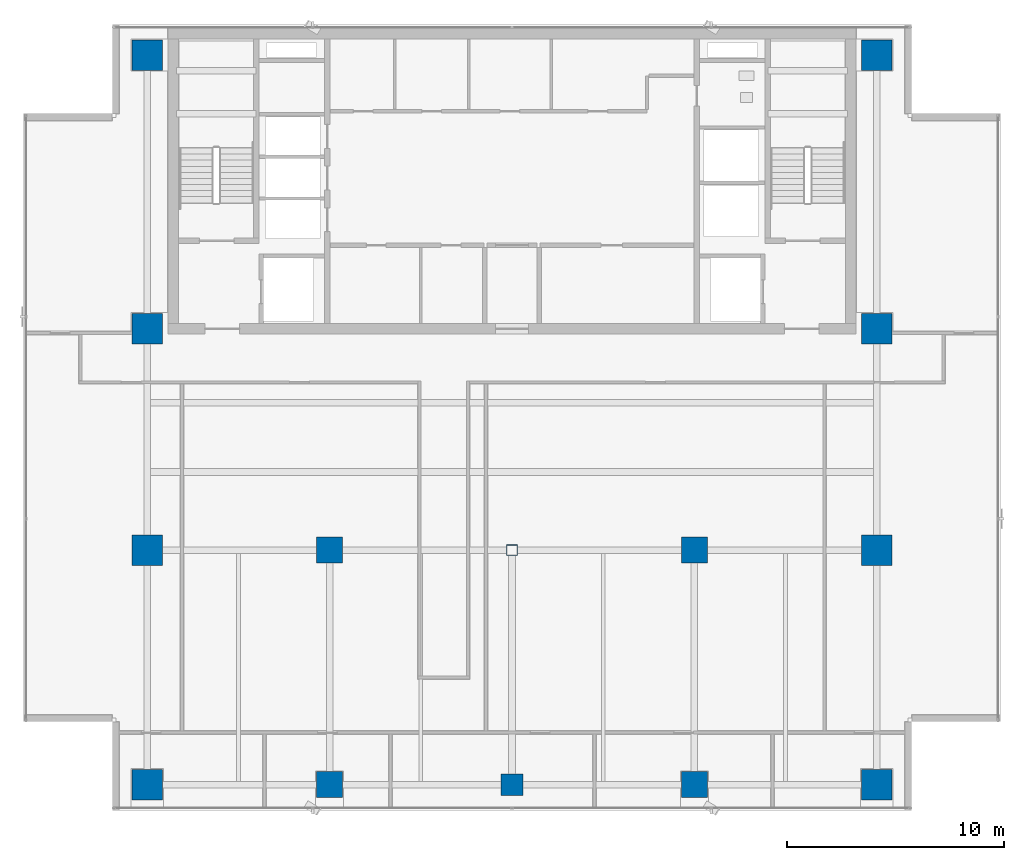
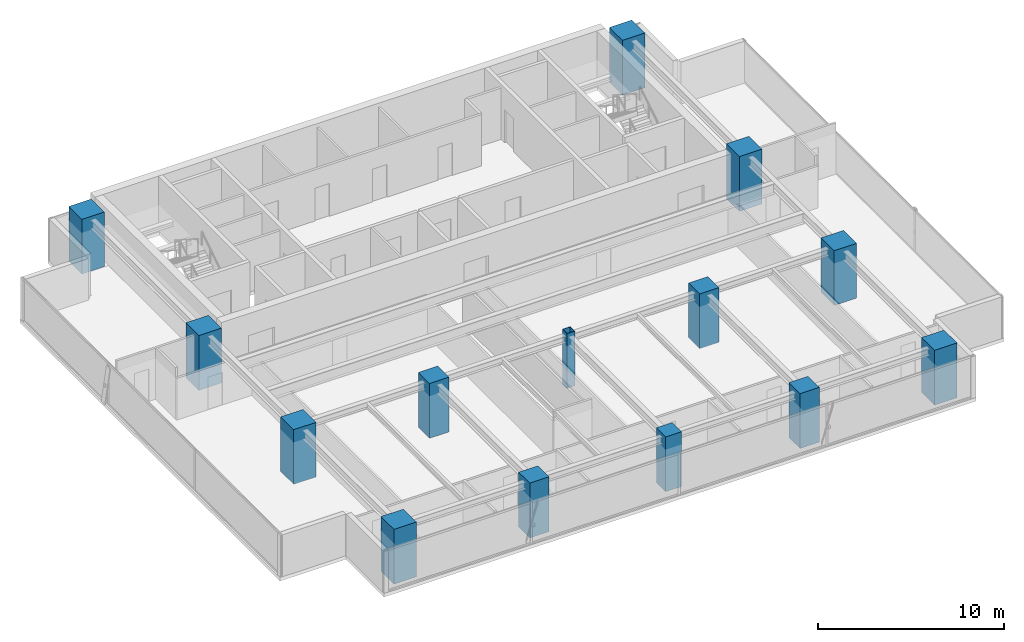
# One storey, part 1 of 26: 14 columns.
"""IFC4 building model written with IfcOpenShell, lengths in metres."""

from ifc_helpers import new_model, si_unit, direction, frame, origin, origin_with_axes, origin_2d, place, context, subcontext, project, spatial, rectangle, hollow_rectangle, extrude, source, transform, mapped, material, material_profile, profile_set, type_object, element, save


model = new_model("IFC4")

# Units and contexts
model_context = context("Model", 3, precision=1e-05, world=origin(), true_north=direction((0.0, 1.0)))
body_context = subcontext(model_context, "Body", "Model", "MODEL_VIEW")
ifc_project = project(units=[si_unit("LENGTHUNIT", "METRE"), si_unit("AREAUNIT", "SQUARE_METRE"), si_unit("VOLUMEUNIT", "CUBIC_METRE"), si_unit("PLANEANGLEUNIT", "RADIAN"), si_unit("MASSUNIT", "GRAM", prefix="KILO")], contexts=[model_context])

# Site, building, storey
site_placement = place(None, origin())
site = spatial("IfcSite", under=ifc_project, at=site_placement, CompositionType="ELEMENT")
building_placement = place(site_placement, origin())
building = spatial("IfcBuilding", under=site, at=building_placement, Name="Sumidabori Civic Tower", CompositionType="ELEMENT")
storey_placement = place(building_placement, frame((0.0, 0.0, 236.0)))
storey = spatial("IfcBuildingStorey", under=building, at=storey_placement, Name="L61", CompositionType="ELEMENT", Elevation=236.0)

# Columns
ifc_material_1 = material(Name="Concrete C60/75", Category="concrete")
ifc_material_profile_1 = material_profile(ifc_material_1, rectangle(XDim=1.39990234375, YDim=1.39990234375, at=origin_2d()), Name="RC 1400x1400")
ifc_profile_set_1 = profile_set([ifc_material_profile_1], Name="Concrete C60/75")
column_type_1 = type_object("IfcColumnType", Name="CL-MEGA-1400", PredefinedType="COLUMN", material=ifc_profile_set_1)
shared_shape_1 = source(origin(), body_context, "Body", "SweptSolid", [
    extrude(rectangle(XDim=1.39990234375, YDim=1.39990234375, at=origin_2d()), origin(), (0.0, 0.0, 1.0), 3.60009765625),
])
for number, where, z_axis, x_axis, name in (
    (1, (-16.800048828125, -10.800048828125, 0.0), (0.0, 0.0, 1.0), (1.0, 0.0, 0.0), "Column MC-W16-Y11S L61"),
    (2, (-16.800048828125, 0.0, 0.0), (0.0, 0.0, 1.0), (1.0, 0.0, 0.0), "Column MC-W16-Y00 L61"),
    (3, (-16.800048828125, 10.199951171875, 0.0), (0.0, 0.0, 1.0), (1.0, 0.0, 0.0), "Column MC-W16-Y10N L61"),
    (4, (-16.800048828125, 22.800048828125, 0.0), (0.0, 0.0, 1.0), (1.0, 0.0, 0.0), "Column MC-W16-Y23N L61"),
    (5, (16.800048828125, -10.800048828125, 0.0), (0.0, 0.0, 1.0), (1.0, 0.0, 0.0), "Column MC-E16-Y11S L61"),
    (6, (16.800048828125, 0.0, 0.0), (0.0, 0.0, 1.0), (1.0, 0.0, 0.0), "Column MC-E16-Y00 L61"),
    (7, (16.800048828125, 10.199951171875, 0.0), (0.0, 0.0, 1.0), (1.0, 0.0, 0.0), "Column MC-E16-Y10N L61"),
    (8, (16.800048828125, 22.800048828125, 0.0), (0.0, 0.0, 1.0), (1.0, 0.0, 0.0), "Column MC-E16-Y23N L61"),
):
    element("IfcColumn", number, at=place(storey_placement, frame(where, z_axis=z_axis, x_axis=x_axis)), inside=storey, type_object=column_type_1, Name=name, PredefinedType="COLUMN", context=body_context, shape_type="MappedRepresentation", body=[
        mapped(shared_shape_1, transform((0.0, 0.0, 0.0), x_axis=(1.0, 0.0, 0.0), y_axis=(0.0, 1.0, 0.0), z_axis=(0.0, 0.0, 1.0), scale=1.0)),
    ])
ifc_material_2 = material(Name="Concrete C50/60", Category="concrete")
ifc_material_profile_2 = material_profile(ifc_material_2, rectangle(XDim=1.0, YDim=1.0, at=origin_2d()), Name="RC 1000x1000")
ifc_profile_set_2 = profile_set([ifc_material_profile_2], Name="Concrete C50/60")
column_type_2 = type_object("IfcColumnType", Name="CL-INT-1000", PredefinedType="COLUMN", material=ifc_profile_set_2)
shared_shape_2 = source(origin(), body_context, "Body", "SweptSolid", [
    extrude(rectangle(XDim=1.0, YDim=1.0, at=origin_2d()), origin(), (0.0, 0.0, 1.0), 3.60009765625),
])
column_1_placement = place(storey_placement, frame((0.0, -10.800048828125, 0.0), z_axis=(0.0, 0.0, 1.0), x_axis=(1.0, 0.0, 0.0)))
element("IfcColumn", 9, at=column_1_placement, inside=storey, type_object=column_type_2, Name="Column MC-C00-Y11S L61", PredefinedType="COLUMN", context=body_context, shape_type="MappedRepresentation", body=[
    mapped(shared_shape_2, transform((0.0, 0.0, 0.0), x_axis=(1.0, 0.0, 0.0), y_axis=(0.0, 1.0, 0.0), z_axis=(0.0, 0.0, 1.0), scale=1.0)),
])
ifc_material_profile_3 = material_profile(ifc_material_2, rectangle(XDim=1.199951171875, YDim=1.199951171875, at=origin_2d()), Name="RC 1200x1200")
ifc_profile_set_3 = profile_set([ifc_material_profile_3], Name="Concrete C50/60")
column_type_3 = type_object("IfcColumnType", Name="CL-MEGA-1200", PredefinedType="COLUMN", material=ifc_profile_set_3)
shared_shape_3 = source(origin(), body_context, "Body", "SweptSolid", [
    extrude(rectangle(XDim=1.199951171875, YDim=1.199951171875, at=origin_2d()), origin(), (0.0, 0.0, 1.0), 3.60009765625),
])
for number, where, z_axis, x_axis, name in (
    (10, (-8.39990234375, 0.0, 0.0), (0.0, 0.0, 1.0), (1.0, 0.0, 0.0), "Column MC-W08-Y00 L61"),
    (11, (-8.39990234375, -10.800048828125, 0.0), (0.0, 0.0, 1.0), (1.0, 0.0, 0.0), "Column MC-W08-Y11S L61"),
    (12, (8.39990234375, 0.0, 0.0), (0.0, 0.0, 1.0), (1.0, 0.0, 0.0), "Column MC-E08-Y00 L61"),
    (13, (8.39990234375, -10.800048828125, 0.0), (0.0, 0.0, 1.0), (1.0, 0.0, 0.0), "Column MC-E08-Y11S L61"),
):
    element("IfcColumn", number, at=place(storey_placement, frame(where, z_axis=z_axis, x_axis=x_axis)), inside=storey, type_object=column_type_3, Name=name, PredefinedType="COLUMN", context=body_context, shape_type="MappedRepresentation", body=[
        mapped(shared_shape_3, transform((0.0, 0.0, 0.0), x_axis=(1.0, 0.0, 0.0), y_axis=(0.0, 1.0, 0.0), z_axis=(0.0, 0.0, 1.0), scale=1.0)),
    ])
ifc_material_3 = material(Name="Steel SN490", Category="steel")
ifc_material_profile_4 = material_profile(ifc_material_3, hollow_rectangle(XDim=0.5, YDim=0.5, WallThickness=0.02490234375, at=origin_2d()), Name="SHS 500x500x25")
ifc_profile_set_4 = profile_set([ifc_material_profile_4], Name="Steel SN490")
column_type_4 = type_object("IfcColumnType", Name="CL-CRN-SHS500", PredefinedType="COLUMN", material=ifc_profile_set_4)
shared_shape_4 = source(origin(), body_context, "Body", "SweptSolid", [
    extrude(hollow_rectangle(XDim=0.5, YDim=0.5, WallThickness=0.02490234375, at=origin_2d()), origin(), (0.0, 0.0, 1.0), 3.60009765625),
])
column_2_placement = place(storey_placement, origin_with_axes())
element("IfcColumn", 14, at=column_2_placement, inside=storey, type_object=column_type_4, Name="Column MC-C00-Y00 L61", PredefinedType="COLUMN", context=body_context, shape_type="MappedRepresentation", body=[
    mapped(shared_shape_4, transform((0.0, 0.0, 0.0), x_axis=(1.0, 0.0, 0.0), y_axis=(0.0, 1.0, 0.0), z_axis=(0.0, 0.0, 1.0), scale=1.0)),
])

save(model, "model.ifc")
